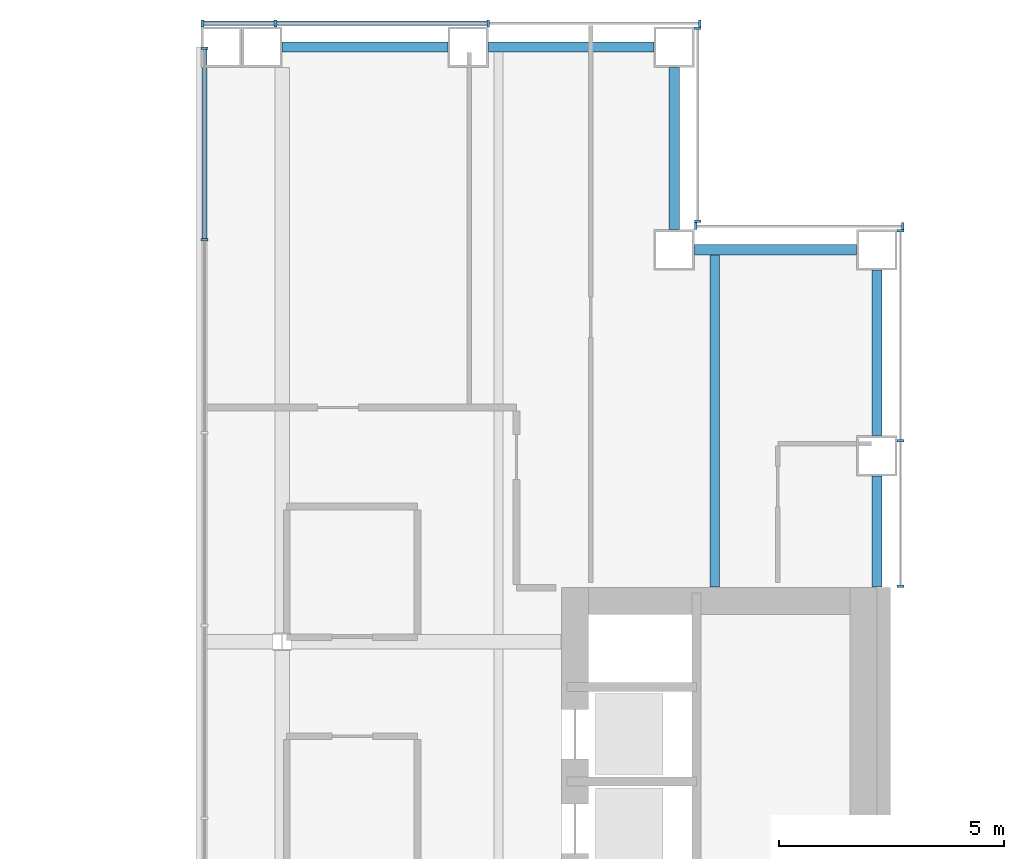
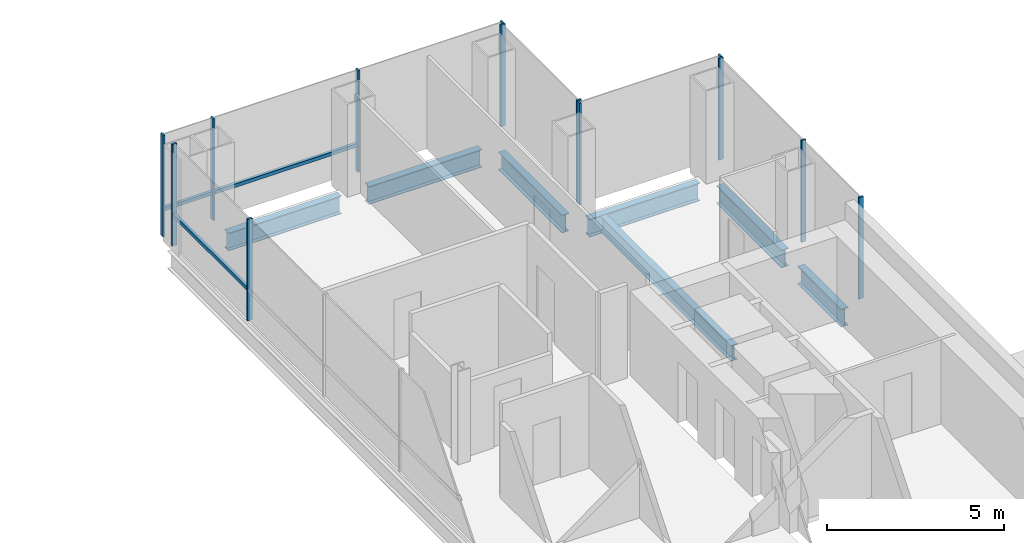
# One storey, part 9 of 17: 16 members, 7 beams, 5 elements without a shape of their own.
"""IFC4 building model written with IfcOpenShell, lengths in metres."""

from ifc_helpers import new_model, si_unit, direction, frame, origin, origin_2d, place, context, subcontext, project, spatial, rectangle, i_section, extrude, material, material_profile, profile_set, type_object, element, aggregate, save


model = new_model("IFC4")

# Units and contexts
model_context = context("Model", 3, precision=1e-05, world=origin(), true_north=direction((0.0, 1.0)))
body_context = subcontext(model_context, "Body", "Model", "MODEL_VIEW")
ifc_project = project(units=[si_unit("LENGTHUNIT", "METRE"), si_unit("AREAUNIT", "SQUARE_METRE"), si_unit("VOLUMEUNIT", "CUBIC_METRE"), si_unit("PLANEANGLEUNIT", "RADIAN"), si_unit("MASSUNIT", "GRAM", prefix="KILO")], contexts=[model_context])

# Site, building, storey
site_placement = place(None, origin())
site = spatial("IfcSite", under=ifc_project, at=site_placement, CompositionType="ELEMENT")
building_placement = place(site_placement, origin())
building = spatial("IfcBuilding", under=site, at=building_placement, Name="Cobrizo Arcos Hotel Tower", CompositionType="ELEMENT")
storey_placement = place(building_placement, frame((0.0, 0.0, 134.5)))
storey = spatial("IfcBuildingStorey", under=building, at=storey_placement, Name="L34", CompositionType="ELEMENT", Elevation=134.5)

# Curtain wall, members
ifc_material_1 = material(Name="Aluminium 6063-T6 anodised bronze", Category="aluminium")
curtain_wall_type_1 = type_object("IfcCurtainWallType", Name="CW-A guest facade", PredefinedType="NOTDEFINED", material=ifc_material_1)
curtain_wall_1_placement = place(storey_placement, origin())
curtain_wall_1 = element("IfcCurtainWall", 1, at=curtain_wall_1_placement, inside=storey, type_object=curtain_wall_type_1, Name="CW-A L34 E face", PredefinedType="NOTDEFINED")
ifc_material_profile_1 = material_profile(ifc_material_1, rectangle(XDim=0.14990234375, YDim=0.06005859375, at=origin_2d()), Name="CW-A mullion 150x60")
ifc_profile_set_1 = profile_set([ifc_material_profile_1], Name="Aluminium 6063-T6 anodised bronze")
member_type_1 = type_object("IfcMemberType", Name="CW-A mullion 150x60", PredefinedType="MULLION", material=ifc_profile_set_1)
member_1_placement = place(storey_placement, frame((23.324951171875, 10.830078125, 0.0), z_axis=(0.0, 0.0, 1.0), x_axis=(1.0, 0.0, 0.0)))
member_1 = element("IfcMember", 2, at=member_1_placement, type_object=member_type_1, Name="CW-A mullion 1", PredefinedType="MULLION", context=body_context, shape_type="SweptSolid", body=[
    extrude(rectangle(XDim=0.14990234375, YDim=0.06005859375, at=origin_2d()), origin(), (0.0, 0.0, 1.0), 3.5),
])
member_2_placement = place(storey_placement, frame((23.324951171875, 14.0625, 0.0), z_axis=(0.0, 0.0, 1.0), x_axis=(1.0, 0.0, 0.0)))
member_2 = element("IfcMember", 3, at=member_2_placement, type_object=member_type_1, Name="CW-A mullion 2", PredefinedType="MULLION", context=body_context, shape_type="SweptSolid", body=[
    extrude(rectangle(XDim=0.14990234375, YDim=0.06005859375, at=origin_2d()), origin(), (0.0, 0.0, 1.0), 3.5),
])
member_3_placement = place(storey_placement, frame((23.324951171875, 18.719970703125, 0.0), z_axis=(0.0, 0.0, 1.0), x_axis=(1.0, 0.0, 0.0)))
member_3 = element("IfcMember", 4, at=member_3_placement, type_object=member_type_1, Name="CW-A mullion 3", PredefinedType="MULLION", context=body_context, shape_type="SweptSolid", body=[
    extrude(rectangle(XDim=0.14990234375, YDim=0.06005859375, at=origin_2d()), origin(), (0.0, 0.0, 1.0), 3.5),
])
aggregate(curtain_wall_1, [member_1, member_2, member_3])

curtain_wall_2_placement = place(storey_placement, origin())
curtain_wall_2 = element("IfcCurtainWall", 5, at=curtain_wall_2_placement, inside=storey, type_object=curtain_wall_type_1, Name="CW-A L34 N face", PredefinedType="NOTDEFINED")
member_4_placement = place(storey_placement, frame((23.3701171875, 18.824951171875, 0.0), z_axis=(0.0, 0.0, 1.0), x_axis=(0.0, 1.0, 0.0)))
member_4 = element("IfcMember", 6, at=member_4_placement, type_object=member_type_1, Name="CW-A mullion 1", PredefinedType="MULLION", context=body_context, shape_type="SweptSolid", body=[
    extrude(rectangle(XDim=0.14990234375, YDim=0.06005859375, at=origin_2d()), origin(), (0.0, 0.0, 1.0), 3.5),
])
member_5_placement = place(storey_placement, frame((18.780029296875, 18.824951171875, 0.0), z_axis=(0.0, 0.0, 1.0), x_axis=(0.0, 1.0, 0.0)))
member_5 = element("IfcMember", 7, at=member_5_placement, type_object=member_type_1, Name="CW-A mullion 2", PredefinedType="MULLION", context=body_context, shape_type="SweptSolid", body=[
    extrude(rectangle(XDim=0.14990234375, YDim=0.06005859375, at=origin_2d()), origin(), (0.0, 0.0, 1.0), 3.5),
])
aggregate(curtain_wall_2, [member_4, member_5])

curtain_wall_3_placement = place(storey_placement, origin())
curtain_wall_3 = element("IfcCurtainWall", 8, at=curtain_wall_3_placement, inside=storey, type_object=curtain_wall_type_1, Name="CW-A L34 E face", PredefinedType="NOTDEFINED")
member_6_placement = place(storey_placement, frame((18.824951171875, 18.929931640625, 0.0), z_axis=(0.0, 0.0, 1.0), x_axis=(1.0, 0.0, 0.0)))
member_6 = element("IfcMember", 9, at=member_6_placement, type_object=member_type_1, Name="CW-A mullion 1", PredefinedType="MULLION", context=body_context, shape_type="SweptSolid", body=[
    extrude(rectangle(XDim=0.14990234375, YDim=0.06005859375, at=origin_2d()), origin(), (0.0, 0.0, 1.0), 3.5),
])
member_7_placement = place(storey_placement, frame((18.824951171875, 23.219970703125, 0.0), z_axis=(0.0, 0.0, 1.0), x_axis=(1.0, 0.0, 0.0)))
member_7 = element("IfcMember", 10, at=member_7_placement, type_object=member_type_1, Name="CW-A mullion 2", PredefinedType="MULLION", context=body_context, shape_type="SweptSolid", body=[
    extrude(rectangle(XDim=0.14990234375, YDim=0.06005859375, at=origin_2d()), origin(), (0.0, 0.0, 1.0), 3.5),
])
aggregate(curtain_wall_3, [member_6, member_7])

curtain_wall_4_placement = place(storey_placement, origin())
curtain_wall_4 = element("IfcCurtainWall", 11, at=curtain_wall_4_placement, inside=storey, type_object=curtain_wall_type_1, Name="CW-A L34 N face", PredefinedType="NOTDEFINED")
member_8_placement = place(storey_placement, frame((18.8701171875, 23.324951171875, 0.0), z_axis=(0.0, 0.0, 1.0), x_axis=(0.0, 1.0, 0.0)))
member_8 = element("IfcMember", 12, at=member_8_placement, type_object=member_type_1, Name="CW-A mullion 1", PredefinedType="MULLION", context=body_context, shape_type="SweptSolid", body=[
    extrude(rectangle(XDim=0.14990234375, YDim=0.06005859375, at=origin_2d()), origin(), (0.0, 0.0, 1.0), 3.5),
])
member_9_placement = place(storey_placement, frame((14.175048828125, 23.324951171875, 0.0), z_axis=(0.0, 0.0, 1.0), x_axis=(0.0, 1.0, 0.0)))
member_9 = element("IfcMember", 13, at=member_9_placement, type_object=member_type_1, Name="CW-A mullion 2", PredefinedType="MULLION", context=body_context, shape_type="SweptSolid", body=[
    extrude(rectangle(XDim=0.14990234375, YDim=0.06005859375, at=origin_2d()), origin(), (0.0, 0.0, 1.0), 3.5),
])
member_10_placement = place(storey_placement, frame((9.449951171875, 23.324951171875, 0.0), z_axis=(0.0, 0.0, 1.0), x_axis=(0.0, 1.0, 0.0)))
member_10 = element("IfcMember", 14, at=member_10_placement, type_object=member_type_1, Name="CW-A mullion 3", PredefinedType="MULLION", context=body_context, shape_type="SweptSolid", body=[
    extrude(rectangle(XDim=0.14990234375, YDim=0.06005859375, at=origin_2d()), origin(), (0.0, 0.0, 1.0), 3.5),
])
member_11_placement = place(storey_placement, frame((7.830078125, 23.324951171875, 0.0), z_axis=(0.0, 0.0, 1.0), x_axis=(0.0, 1.0, 0.0)))
member_11 = element("IfcMember", 15, at=member_11_placement, type_object=member_type_1, Name="CW-A mullion 4", PredefinedType="MULLION", context=body_context, shape_type="SweptSolid", body=[
    extrude(rectangle(XDim=0.14990234375, YDim=0.06005859375, at=origin_2d()), origin(), (0.0, 0.0, 1.0), 3.5),
])
ifc_material_profile_2 = material_profile(ifc_material_1, rectangle(XDim=0.10009765625, YDim=0.1201171875, at=origin_2d()), Name="CW-A transom 120x100")
ifc_profile_set_2 = profile_set([ifc_material_profile_2], Name="Aluminium 6063-T6 anodised bronze")
member_type_2 = type_object("IfcMemberType", Name="CW-A transom 120x100", PredefinedType="USERDEFINED", material=ifc_profile_set_2)
member_12_placement = place(storey_placement, frame((14.14501953125, 23.324951171875, 0.929931640625), z_axis=(-1.0, 0.0, 0.0), x_axis=(0.0, -1.0, 0.0)))
member_12 = element("IfcMember", 16, at=member_12_placement, type_object=member_type_2, Name="CW-A transom 1262", ObjectType="TRANSOM", PredefinedType="USERDEFINED", context=body_context, shape_type="SweptSolid", body=[
    extrude(rectangle(XDim=0.10009765625, YDim=0.1201171875, at=origin_2d()), origin(), (0.0, 0.0, 1.0), 4.6650390625),
])
member_13_placement = place(storey_placement, frame((9.419921875, 23.324951171875, 0.929931640625), z_axis=(-1.0, 0.0, 0.0), x_axis=(0.0, -1.0, 0.0)))
member_13 = element("IfcMember", 17, at=member_13_placement, type_object=member_type_2, Name="CW-A transom 1263", ObjectType="TRANSOM", PredefinedType="USERDEFINED", context=body_context, shape_type="SweptSolid", body=[
    extrude(rectangle(XDim=0.10009765625, YDim=0.1201171875, at=origin_2d()), origin(), (0.0, 0.0, 1.0), 1.559814453125),
])
aggregate(curtain_wall_4, [member_8, member_9, member_10, member_11, member_12, member_13])

curtain_wall_type_2 = type_object("IfcCurtainWallType", Name="CW-F void screen", PredefinedType="NOTDEFINED", material=ifc_material_1)
curtain_wall_5_placement = place(storey_placement, origin())
curtain_wall_5 = element("IfcCurtainWall", 18, at=curtain_wall_5_placement, inside=storey, type_object=curtain_wall_type_2, Name="CW-F L34 void screen B", PredefinedType="NOTDEFINED")
ifc_material_profile_3 = material_profile(ifc_material_1, rectangle(XDim=0.14990234375, YDim=0.06005859375, at=origin_2d()), Name="CW-F mullion 150x60")
ifc_profile_set_3 = profile_set([ifc_material_profile_3], Name="Aluminium 6063-T6 anodised bronze")
member_type_3 = type_object("IfcMemberType", Name="CW-F mullion 150x60", PredefinedType="MULLION", material=ifc_profile_set_3)
member_14_placement = place(storey_placement, frame((7.875, 18.52001953125, 0.0), z_axis=(0.0, 0.0, 1.0), x_axis=(1.0, 0.0, 0.0)))
member_14 = element("IfcMember", 19, at=member_14_placement, type_object=member_type_3, Name="CW-F mullion 5", PredefinedType="MULLION", context=body_context, shape_type="SweptSolid", body=[
    extrude(rectangle(XDim=0.14990234375, YDim=0.06005859375, at=origin_2d()), origin(), (0.0, 0.0, 1.0), 3.5),
])
member_15_placement = place(storey_placement, frame((7.875, 22.77001953125, 0.0), z_axis=(0.0, 0.0, 1.0), x_axis=(1.0, 0.0, 0.0)))
member_15 = element("IfcMember", 20, at=member_15_placement, type_object=member_type_3, Name="CW-F mullion 6", PredefinedType="MULLION", context=body_context, shape_type="SweptSolid", body=[
    extrude(rectangle(XDim=0.14990234375, YDim=0.06005859375, at=origin_2d()), origin(), (0.0, 0.0, 1.0), 3.5),
])
ifc_material_profile_4 = material_profile(ifc_material_1, rectangle(XDim=0.10009765625, YDim=0.1201171875, at=origin_2d()), Name="CW-F transom 120x100")
ifc_profile_set_4 = profile_set([ifc_material_profile_4], Name="Aluminium 6063-T6 anodised bronze")
member_type_4 = type_object("IfcMemberType", Name="CW-F transom 120x100", PredefinedType="USERDEFINED", material=ifc_profile_set_4)
member_16_placement = place(storey_placement, frame((7.875, 18.550048828125, 1.050048828125), z_axis=(0.0, 1.0, 0.0), x_axis=(-1.0, 0.0, 0.0)))
member_16 = element("IfcMember", 21, at=member_16_placement, type_object=member_type_4, Name="CW-F transom 2675", ObjectType="TRANSOM", PredefinedType="USERDEFINED", context=body_context, shape_type="SweptSolid", body=[
    extrude(rectangle(XDim=0.10009765625, YDim=0.1201171875, at=origin_2d()), origin(), (0.0, 0.0, 1.0), 4.18994140625),
])
aggregate(curtain_wall_5, [member_14, member_15, member_16])

# Beams
ifc_material_2 = material(Name="Steel ASTM A992 Grade 50", Category="steel")
ifc_material_profile_5 = material_profile(ifc_material_2, i_section(OverallWidth=0.209228515625, OverallDepth=0.533447265625, WebThickness=0.01025390625, FlangeThickness=0.015625, at=origin_2d()), Name="W21X62")
ifc_profile_set_5 = profile_set([ifc_material_profile_5], Name="Steel ASTM A992 Grade 50")
beam_type_1 = type_object("IfcBeamType", Name="W21X62 joist", PredefinedType="JOIST", material=ifc_profile_set_5)
beam_1_placement = place(storey_placement, frame((19.199951171875, 10.81005859375, -0.416748046875), z_axis=(0.0, 1.0, 0.0), x_axis=(-1.0, 0.0, 0.0)))
element("IfcBeam", 22, at=beam_1_placement, inside=storey, type_object=beam_type_1, Name="Floor joist J1, L34, no. 012", PredefinedType="JOIST", context=body_context, shape_type="SweptSolid", body=[
    extrude(i_section(OverallWidth=0.209228515625, OverallDepth=0.533447265625, WebThickness=0.01025390625, FlangeThickness=0.015625, at=origin_2d()), origin(), (0.0, 0.0, 1.0), 7.39990234375),
])
ifc_material_profile_6 = material_profile(ifc_material_2, i_section(OverallWidth=0.23046875, OverallDepth=0.6171875, WebThickness=0.01318359375, FlangeThickness=0.022216796875, at=origin_2d()), Name="W24X94")
ifc_profile_set_6 = profile_set([ifc_material_profile_6], Name="Steel ASTM A992 Grade 50")
beam_type_2 = type_object("IfcBeamType", Name="W24X94 spandrel", PredefinedType="SPANDREL", material=ifc_profile_set_6)
beam_2_placement = place(storey_placement, frame((18.75, 18.300048828125, -0.45849609375), z_axis=(1.0, 0.0, 0.0), x_axis=(0.0, 1.0, 0.0)))
element("IfcBeam", 23, at=beam_2_placement, inside=storey, type_object=beam_type_2, Name="Spandrel beam W24X94, L34, no. 001", PredefinedType="SPANDREL", context=body_context, shape_type="SweptSolid", body=[
    extrude(i_section(OverallWidth=0.23046875, OverallDepth=0.6171875, WebThickness=0.01318359375, FlangeThickness=0.022216796875, at=origin_2d()), origin(), (0.0, 0.0, 1.0), 3.60009765625),
])
beam_3_placement = place(storey_placement, frame((22.800048828125, 17.85009765625, -0.45849609375), z_axis=(0.0, -1.0, 0.0), x_axis=(1.0, 0.0, 0.0)))
element("IfcBeam", 24, at=beam_3_placement, inside=storey, type_object=beam_type_2, Name="Spandrel beam W24X94, L34, no. 002", PredefinedType="SPANDREL", context=body_context, shape_type="SweptSolid", body=[
    extrude(i_section(OverallWidth=0.23046875, OverallDepth=0.6171875, WebThickness=0.01318359375, FlangeThickness=0.022216796875, at=origin_2d()), origin(), (0.0, 0.0, 1.0), 3.675048828125),
])
beam_4_placement = place(storey_placement, frame((22.800048828125, 13.27490234375, -0.45849609375), z_axis=(0.0, -1.0, 0.0), x_axis=(1.0, 0.0, 0.0)))
element("IfcBeam", 25, at=beam_4_placement, inside=storey, type_object=beam_type_2, Name="Spandrel beam W24X94, L34, no. 003", PredefinedType="SPANDREL", context=body_context, shape_type="SweptSolid", body=[
    extrude(i_section(OverallWidth=0.23046875, OverallDepth=0.6171875, WebThickness=0.01318359375, FlangeThickness=0.022216796875, at=origin_2d()), origin(), (0.0, 0.0, 1.0), 2.46484375),
])
beam_5_placement = place(storey_placement, frame((9.60009765625, 22.800048828125, -0.45849609375), z_axis=(1.0, 0.0, 0.0), x_axis=(0.0, 1.0, 0.0)))
element("IfcBeam", 26, at=beam_5_placement, inside=storey, type_object=beam_type_2, Name="Spandrel beam W24X94, L34, no. 026", PredefinedType="SPANDREL", context=body_context, shape_type="SweptSolid", body=[
    extrude(i_section(OverallWidth=0.23046875, OverallDepth=0.6171875, WebThickness=0.01318359375, FlangeThickness=0.022216796875, at=origin_2d()), origin(), (0.0, 0.0, 1.0), 3.6748046875),
])
beam_6_placement = place(storey_placement, frame((14.175048828125, 22.800048828125, -0.45849609375), z_axis=(1.0, 0.0, 0.0), x_axis=(0.0, 1.0, 0.0)))
element("IfcBeam", 27, at=beam_6_placement, inside=storey, type_object=beam_type_2, Name="Spandrel beam W24X94, L34, no. 027", PredefinedType="SPANDREL", context=body_context, shape_type="SweptSolid", body=[
    extrude(i_section(OverallWidth=0.23046875, OverallDepth=0.6171875, WebThickness=0.01318359375, FlangeThickness=0.022216796875, at=origin_2d()), origin(), (0.0, 0.0, 1.0), 3.675048828125),
])
beam_7_placement = place(storey_placement, frame((18.300048828125, 22.35009765625, -0.45849609375), z_axis=(0.0, -1.0, 0.0), x_axis=(1.0, 0.0, 0.0)))
element("IfcBeam", 28, at=beam_7_placement, inside=storey, type_object=beam_type_2, Name="Spandrel beam W24X94, L34, no. 028", PredefinedType="SPANDREL", context=body_context, shape_type="SweptSolid", body=[
    extrude(i_section(OverallWidth=0.23046875, OverallDepth=0.6171875, WebThickness=0.01318359375, FlangeThickness=0.022216796875, at=origin_2d()), origin(), (0.0, 0.0, 1.0), 3.60009765625),
])

save(model, "model.ifc")
